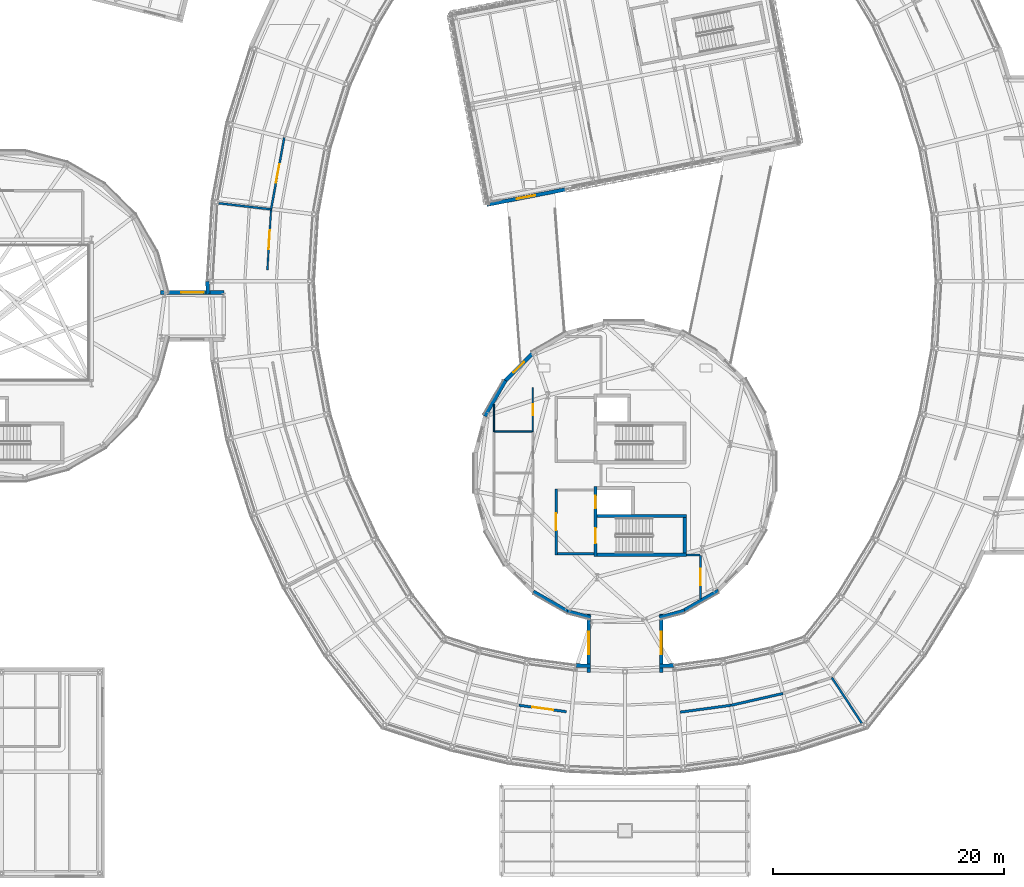
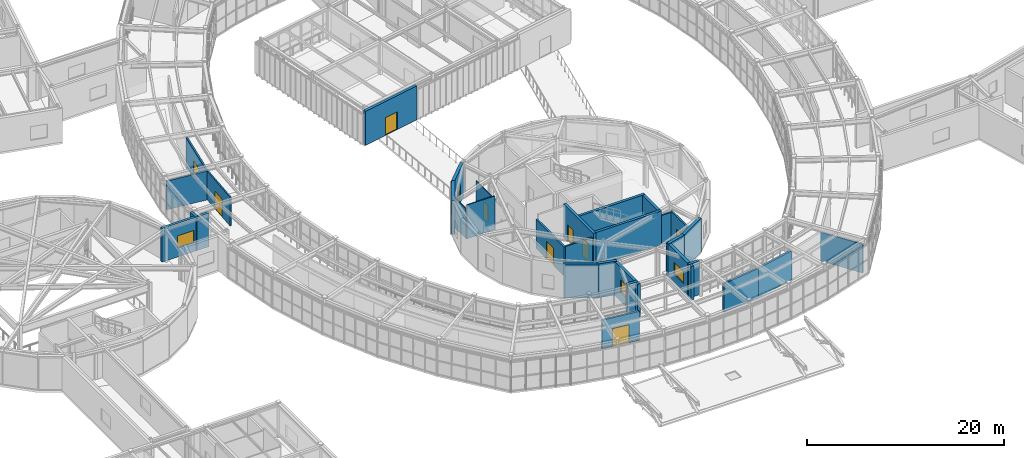
# One storey, part 76 of 103: 31 walls, 9 doors, 4 windows, 13 openings.
"""IFC4 building model written with IfcOpenShell, lengths in metres."""

from ifc_helpers import new_model, si_unit, direction, frame, frame_2d, origin, place, context, subcontext, project, spatial, rectangle, extrude, material, layer, layer_set, type_object, element, fill, save


model = new_model("IFC4")

# Units and contexts
model_context = context("Model", 3, precision=1e-05, world=origin(), true_north=direction((0.0, 1.0)))
body_context = subcontext(model_context, "Body", "Model", "MODEL_VIEW")
ifc_project = project(units=[si_unit("LENGTHUNIT", "METRE"), si_unit("AREAUNIT", "SQUARE_METRE"), si_unit("VOLUMEUNIT", "CUBIC_METRE"), si_unit("PLANEANGLEUNIT", "RADIAN"), si_unit("MASSUNIT", "GRAM", prefix="KILO")], contexts=[model_context])

# Site, building, storey
site_placement = place(None, origin())
site = spatial("IfcSite", under=ifc_project, at=site_placement, CompositionType="ELEMENT")
building_placement = place(site_placement, origin())
building = spatial("IfcBuilding", under=site, at=building_placement, Name="Varnklinge Art Gallery", CompositionType="ELEMENT")
storey_placement = place(building_placement, frame((0.0, 0.0, 5.10009765625)))
storey = spatial("IfcBuildingStorey", under=building, at=storey_placement, Name="L01", CompositionType="ELEMENT", Elevation=5.10009765625)

# Walls
ifc_material_1 = material(Name="Precast concrete C40/50", Category="concrete")
ifc_layer_1 = layer(ifc_material_1, 0.320068359375)
ifc_layer_set_1 = layer_set([ifc_layer_1], Name="Precast concrete C40/50")
wall_type_1 = type_object("IfcWallType", Name="EW-32", PredefinedType="SOLIDWALL", material=ifc_layer_set_1)
wall_1_placement = place(storey_placement, frame((39.459716796875, 53.8798828125, 0.0), z_axis=(0.0, 0.0, 1.0), x_axis=(-0.060698683883, 0.998156134968, 0.0)))
element("IfcWall", 1, at=wall_1_placement, inside=storey, type_object=wall_type_1, Name="EW-V2O-L01-K26-1", PredefinedType="SOLIDWALL", context=body_context, shape_type="SweptSolid", body=[
    extrude(rectangle(XDim=1.1220703125, YDim=0.320068359375, at=frame_2d((0.56103515625, 0.0))), origin(), (0.0, 0.0, 1.0), 4.179931640625),
])
for number, where, z_axis, x_axis, name in (
    (2, (71.261962890625, 21.79443359375, 0.0), (0.0, 0.0, 1.0), (0.998996725621, -0.044783280345, 0.0), "EW-V2I-L01-K35-1"),
    (3, (78.47998046875, 21.738037109375, 0.0), (0.0, 0.0, 1.0), (0.998996725621, 0.044783280345, 0.0), "EW-V2I-L01-K36-1"),
):
    element("IfcWall", number, at=place(storey_placement, frame(where, z_axis=z_axis, x_axis=x_axis)), inside=storey, type_object=wall_type_1, Name=name, PredefinedType="SOLIDWALL", context=body_context, shape_type="SweptSolid", body=[
        extrude(rectangle(XDim=1.25927734375, YDim=0.320068359375, at=frame_2d((0.629638671875, 0.0))), origin(), (0.0, 0.0, 1.0), 4.179931640625),
    ])

# Wall, opening, door
wall_2_placement = place(storey_placement, frame((70.32958984375, 62.937744140625, 0.0), z_axis=(0.0, 0.0, 1.0), x_axis=(-0.981625148252, -0.190819465253, 0.0)))
wall_2 = element("IfcWall", 4, at=wall_2_placement, inside=storey, type_object=wall_type_1, Name="EW-V4B-L01-BRG-1", PredefinedType="SOLIDWALL", context=body_context, shape_type="SweptSolid", body=[
    extrude(rectangle(XDim=6.89990234375, YDim=0.320068359375, at=frame_2d((3.449951171875, 0.0))), origin(), (0.0, 0.0, 1.0), 4.199951171875),
])
opening_1_placement = place(wall_2_placement, frame((2.64990234375, 0.0, 0.0)))
opening_1 = element("IfcOpeningElement", 5, at=opening_1_placement, cuts=wall_2, Name="Opening D-L01-E17", PredefinedType="OPENING", context=body_context, shape_type="SweptSolid", body=[
    extrude(rectangle(XDim=1.60009765625, YDim=2.199951171875, at=frame_2d((0.800048828125, 1.10009765625))), frame((0.0, 0.170166015625, 0.0), z_axis=(0.0, -1.0, 0.0), x_axis=(1.0, 0.0, 0.0)), (0.0, 0.0, 1.0), 0.340087890625),
])
ifc_material_2 = material(Name="Anodised Aluminium", Category="aluminium")
door_type_1 = type_object("IfcDoorType", Name="ED-03", OperationType="DOUBLE_DOOR_SINGLE_SWING", PredefinedType="DOOR", material=ifc_material_2)
door_1_placement = place(opening_1_placement, origin())
door_1 = element("IfcDoor", 6, at=door_1_placement, inside=storey, type_object=door_type_1, Name="L01 Lattice Box Court Bridge Door D-L01-E17", OperationType="DOUBLE_DOOR_SINGLE_SWING", OverallHeight=2.199951171875, OverallWidth=1.60009765625, PredefinedType="DOOR", context=body_context, shape_type="SweptSolid", body=[
    extrude(rectangle(XDim=1.60009765625, YDim=2.199951171875, at=frame_2d((0.800048828125, 1.10009765625))), frame((0.0, 0.02490234375, 0.0), z_axis=(0.0, -1.0, 0.0), x_axis=(1.0, 0.0, 0.0)), (0.0, 0.0, 1.0), 0.050048828125),
])
fill(opening_1, door_1)

# Wall, opening, window
wall_3_placement = place(storey_placement, frame((35.35009765625, 54.0400390625, 0.0), z_axis=(0.0, 0.0, 1.0), x_axis=(1.0, 0.0, 0.0)))
wall_3 = element("IfcWall", 7, at=wall_3_placement, inside=storey, type_object=wall_type_1, Name="L01 Gallery Link Wall EW-LNK-V3-L01-N", PredefinedType="SOLIDWALL", context=body_context, shape_type="SweptSolid", body=[
    extrude(rectangle(XDim=5.5, YDim=0.320068359375, at=frame_2d((2.75, 0.0))), origin(), (0.0, 0.0, 1.0), 4.169921875),
])
opening_2_placement = place(wall_3_placement, frame((1.77490234375, 0.0, 1.1201171875)))
opening_2 = element("IfcOpeningElement", 8, at=opening_2_placement, cuts=wall_3, Name="Opening WN-05", PredefinedType="OPENING", context=body_context, shape_type="SweptSolid", body=[
    extrude(rectangle(XDim=1.949951171875, YDim=1.5, at=frame_2d((0.97509765625, 0.75))), frame((0.0, 0.170166015625, 0.0), z_axis=(0.0, -1.0, 0.0), x_axis=(1.0, 0.0, 0.0)), (0.0, 0.0, 1.0), 0.340087890625),
])
ifc_material_3 = material(Name="Insulated Low-E Triple Glazing", Category="glass")
window_type_1 = type_object("IfcWindowType", Name="WN-05", PartitioningType="SINGLE_PANEL", PredefinedType="WINDOW", material=ifc_material_3)
window_1_placement = place(opening_2_placement, origin())
window_1 = element("IfcWindow", 9, at=window_1_placement, inside=storey, type_object=window_type_1, Name="L01 Window WIN-L01-217", OverallHeight=1.5, OverallWidth=1.949951171875, PartitioningType="SINGLE_PANEL", PredefinedType="WINDOW", context=body_context, shape_type="SweptSolid", body=[
    extrude(rectangle(XDim=1.949951171875, YDim=1.5, at=frame_2d((0.97509765625, 0.75))), frame((0.0, 0.030029296875, 0.0), z_axis=(0.0, -1.0, 0.0), x_axis=(1.0, 0.0, 0.0)), (0.0, 0.0, 1.0), 0.06005859375),
])
fill(opening_2, window_1)

wall_4_placement = place(storey_placement, frame((72.360107421875, 21.1845703125, 0.0), z_axis=(0.0, 0.0, 1.0), x_axis=(0.0, 1.0, 0.0)))
wall_4 = element("IfcWall", 10, at=wall_4_placement, inside=storey, type_object=wall_type_1, Name="L01 Gallery Link Wall EW-LNK-V4S-L01-W", PredefinedType="SOLIDWALL", context=body_context, shape_type="SweptSolid", body=[
    extrude(rectangle(XDim=5.071044921875, YDim=0.320068359375, at=frame_2d((2.53564453125, 0.0))), origin(), (0.0, 0.0, 1.0), 4.179931640625),
])
opening_3_placement = place(wall_4_placement, frame((1.560546875, 0.0, 1.1201171875)))
opening_3 = element("IfcOpeningElement", 11, at=opening_3_placement, cuts=wall_4, Name="Opening WN-05", PredefinedType="OPENING", context=body_context, shape_type="SweptSolid", body=[
    extrude(rectangle(XDim=1.949951171875, YDim=1.5, at=frame_2d((0.97509765625, 0.75))), frame((0.0, 0.170166015625, 0.0), z_axis=(0.0, -1.0, 0.0), x_axis=(1.0, 0.0, 0.0)), (0.0, 0.0, 1.0), 0.340087890625),
])
window_2_placement = place(opening_3_placement, origin())
window_2 = element("IfcWindow", 12, at=window_2_placement, inside=storey, type_object=window_type_1, Name="L01 Window WIN-L01-220", OverallHeight=1.5, OverallWidth=1.949951171875, PartitioningType="SINGLE_PANEL", PredefinedType="WINDOW", context=body_context, shape_type="SweptSolid", body=[
    extrude(rectangle(XDim=1.949951171875, YDim=1.5, at=frame_2d((0.97509765625, 0.75))), frame((0.0, 0.030029296875, 0.0), z_axis=(0.0, -1.0, 0.0), x_axis=(1.0, 0.0, 0.0)), (0.0, 0.0, 1.0), 0.06005859375),
])
fill(opening_3, window_2)

wall_5_placement = place(storey_placement, frame((78.639892578125, 26.255615234375, 0.0), z_axis=(0.0, 0.0, 1.0), x_axis=(0.0, -1.0, 0.0)))
wall_5 = element("IfcWall", 13, at=wall_5_placement, inside=storey, type_object=wall_type_1, Name="L01 Gallery Link Wall EW-LNK-V4S-L01-E", PredefinedType="SOLIDWALL", context=body_context, shape_type="SweptSolid", body=[
    extrude(rectangle(XDim=5.071044921875, YDim=0.320068359375, at=frame_2d((2.53564453125, 0.0))), origin(), (0.0, 0.0, 1.0), 4.179931640625),
])
opening_4_placement = place(wall_5_placement, frame((1.560546875, 0.0, 1.1201171875)))
opening_4 = element("IfcOpeningElement", 14, at=opening_4_placement, cuts=wall_5, Name="Opening WN-05", PredefinedType="OPENING", context=body_context, shape_type="SweptSolid", body=[
    extrude(rectangle(XDim=1.949951171875, YDim=1.5, at=frame_2d((0.97509765625, 0.75))), frame((0.0, 0.170166015625, 0.0), z_axis=(0.0, -1.0, 0.0), x_axis=(1.0, 0.0, 0.0)), (0.0, 0.0, 1.0), 0.340087890625),
])
window_3_placement = place(opening_4_placement, origin())
window_3 = element("IfcWindow", 15, at=window_3_placement, inside=storey, type_object=window_type_1, Name="L01 Window WIN-L01-221", OverallHeight=1.5, OverallWidth=1.949951171875, PartitioningType="SINGLE_PANEL", PredefinedType="WINDOW", context=body_context, shape_type="SweptSolid", body=[
    extrude(rectangle(XDim=1.949951171875, YDim=1.5, at=frame_2d((0.97509765625, 0.75))), frame((0.0, 0.030029296875, 0.0), z_axis=(0.0, -1.0, 0.0), x_axis=(1.0, 0.0, 0.0)), (0.0, 0.0, 1.0), 0.06005859375),
])
fill(opening_4, window_3)

# Walls
ifc_material_4 = material(Name="Precast concrete C40/50", Category="concrete")
ifc_layer_2 = layer(ifc_material_4, 0.340087890625)
ifc_layer_set_2 = layer_set([ifc_layer_2], Name="Precast concrete C40/50")
wall_type_2 = type_object("IfcWallType", Name="EW-34", PredefinedType="SOLIDWALL", material=ifc_layer_set_2)
wall_6_placement = place(storey_placement, frame((83.57861328125, 28.248779296875, 0.0), z_axis=(0.0, 0.0, 1.0), x_axis=(-0.866021650523, -0.500006500783, 0.0)))
element("IfcWall", 16, at=wall_6_placement, inside=storey, type_object=wall_type_2, Name="L01 Exterior Wall EW-V4D-L01-05", PredefinedType="SOLIDWALL", context=body_context, shape_type="SweptSolid", body=[
    extrude(rectangle(XDim=3.5712890625, YDim=0.340087890625, at=frame_2d((1.78564453125, 0.0))), origin(), (0.0, 0.0, 1.0), 4.199951171875),
])
wall_7_placement = place(storey_placement, frame((80.64990234375, 26.507080078125, 0.0), z_axis=(0.0, 0.0, 1.0), x_axis=(-0.965940290582, -0.258765057592, 0.0)))
element("IfcWall", 17, at=wall_7_placement, inside=storey, type_object=wall_type_2, Name="L01 Exterior Wall EW-V4D-L01-06", PredefinedType="SOLIDWALL", context=body_context, shape_type="SweptSolid", body=[
    extrude(rectangle(XDim=2.246337890625, YDim=0.340087890625, at=frame_2d((1.123046875, 0.0))), origin(), (0.0, 0.0, 1.0), 4.199951171875),
])
wall_8_placement = place(storey_placement, frame((72.52001953125, 25.92578125, 0.0), z_axis=(0.0, 0.0, 1.0), x_axis=(-0.965939655771, 0.258767427258, 0.0)))
element("IfcWall", 18, at=wall_8_placement, inside=storey, type_object=wall_type_2, Name="L01 Exterior Wall EW-V4D-L01-07", PredefinedType="SOLIDWALL", context=body_context, shape_type="SweptSolid", body=[
    extrude(rectangle(XDim=2.07666015625, YDim=0.340087890625, at=frame_2d((1.038330078125, 0.0))), origin(), (0.0, 0.0, 1.0), 4.199951171875),
])
for number, where, z_axis, x_axis, name in (
    (19, (70.661376953125, 26.378173828125, 0.0), (0.0, 0.0, 1.0), (-0.866021650523, 0.500006500783, 0.0), "L01 Exterior Wall EW-V4D-L01-08"),
    (20, (63.378173828125, 43.338623046875, 0.0), (0.0, 0.0, 1.0), (0.500006500783, 0.866021650523, 0.0), "L01 Exterior Wall EW-V4D-L01-14"),
):
    element("IfcWall", number, at=place(storey_placement, frame(where, z_axis=z_axis, x_axis=x_axis)), inside=storey, type_object=wall_type_2, Name=name, PredefinedType="SOLIDWALL", context=body_context, shape_type="SweptSolid", body=[
        extrude(rectangle(XDim=3.5712890625, YDim=0.340087890625, at=frame_2d((1.78564453125, 0.0))), origin(), (0.0, 0.0, 1.0), 4.199951171875),
    ])

# Wall, opening, window
wall_9_placement = place(storey_placement, frame((65.04345703125, 46.31103515625, 0.0), z_axis=(0.0, 0.0, 1.0), x_axis=(0.707106781187, 0.707106781187, 0.0)))
wall_9 = element("IfcWall", 21, at=wall_9_placement, inside=storey, type_object=wall_type_2, Name="L01 Exterior Wall EW-V4D-L01-15", PredefinedType="SOLIDWALL", context=body_context, shape_type="SweptSolid", body=[
    extrude(rectangle(XDim=3.571044921875, YDim=0.340087890625, at=frame_2d((1.78564453125, 0.0))), origin(), (0.0, 0.0, 1.0), 4.199951171875),
])
opening_5_placement = place(wall_9_placement, frame((1.16064453125, 0.0, 0.85009765625)))
opening_5 = element("IfcOpeningElement", 22, at=opening_5_placement, cuts=wall_9, Name="Opening WN-09", PredefinedType="OPENING", context=body_context, shape_type="SweptSolid", body=[
    extrude(rectangle(XDim=1.25, YDim=1.699951171875, at=frame_2d((0.625, 0.85009765625))), frame((0.0, 0.179931640625, 0.0), z_axis=(0.0, -1.0, 0.0), x_axis=(1.0, 0.0, 0.0)), (0.0, 0.0, 1.0), 0.360107421875),
])
ifc_material_5 = material(Name="Insulated Low-E Triple Glazing", Category="glass")
window_type_2 = type_object("IfcWindowType", Name="WN-09", PartitioningType="SINGLE_PANEL", PredefinedType="WINDOW", material=ifc_material_5)
window_4_placement = place(opening_5_placement, origin())
window_4 = element("IfcWindow", 23, at=window_4_placement, inside=storey, type_object=window_type_2, Name="L01 Window WIN-L01-081", OverallHeight=1.699951171875, OverallWidth=1.25, PartitioningType="SINGLE_PANEL", PredefinedType="WINDOW", context=body_context, shape_type="SweptSolid", body=[
    extrude(rectangle(XDim=1.25, YDim=1.699951171875, at=frame_2d((0.625, 0.85009765625))), frame((0.0, 0.030029296875, 0.0), z_axis=(0.0, -1.0, 0.0), x_axis=(1.0, 0.0, 0.0)), (0.0, 0.0, 1.0), 0.06005859375),
])
fill(opening_5, window_4)

# Wall, opening, door
ifc_material_6 = material(Name="Gypsum Board Partition", Category="gypsum")
ifc_layer_3 = layer(ifc_material_6, 0.10009765625)
ifc_layer_set_3 = layer_set([ifc_layer_3], Name="Gypsum Board Partition")
wall_type_3 = type_object("IfcWallType", Name="IW-10", PredefinedType="PARTITIONING", material=ifc_layer_set_3)
wall_10_placement = place(storey_placement, frame((67.530029296875, 45.800048828125, 0.0), z_axis=(0.0, 0.0, 1.0), x_axis=(0.0, -1.0, 0.0)))
wall_10 = element("IfcWall", 24, at=wall_10_placement, inside=storey, type_object=wall_type_3, Name="L01 Partition Wall IW-L01-0209", PredefinedType="PARTITIONING", context=body_context, shape_type="SweptSolid", body=[
    extrude(rectangle(XDim=3.800048828125, YDim=0.10009765625, at=frame_2d((1.89990234375, 0.0))), origin(), (0.0, 0.0, 1.0), 3.739990234375),
])
opening_6_placement = place(wall_10_placement, frame((1.43994140625, 0.0, 0.0)))
opening_6 = element("IfcOpeningElement", 25, at=opening_6_placement, cuts=wall_10, Name="Opening D-L01-200", PredefinedType="OPENING", context=body_context, shape_type="SweptSolid", body=[
    extrude(rectangle(XDim=0.919921875, YDim=2.080078125, at=frame_2d((0.4599609375, 1.0400390625))), frame((0.0, 0.06005859375, 0.0), z_axis=(0.0, -1.0, 0.0), x_axis=(1.0, 0.0, 0.0)), (0.0, 0.0, 1.0), 0.1201171875),
])
ifc_material_7 = material(Name="Oak Timber Leaf", Category="wood")
door_type_2 = type_object("IfcDoorType", Name="ID-01", OperationType="SINGLE_SWING_LEFT", PredefinedType="DOOR", material=ifc_material_7)
door_2_placement = place(opening_6_placement, origin())
door_2 = element("IfcDoor", 26, at=door_2_placement, inside=storey, type_object=door_type_2, Name="L01 L01 Curatorial Conservation Closet Door D-L01-200", OperationType="SINGLE_SWING_RIGHT", OverallHeight=2.080078125, OverallWidth=0.919921875, PredefinedType="DOOR", context=body_context, shape_type="SweptSolid", body=[
    extrude(rectangle(XDim=0.919921875, YDim=2.080078125, at=frame_2d((0.4599609375, 1.0400390625))), frame((0.0, 0.02490234375, 0.0), z_axis=(0.0, -1.0, 0.0), x_axis=(1.0, 0.0, 0.0)), (0.0, 0.0, 1.0), 0.050048828125),
])
fill(opening_6, door_2)

# Walls
wall_11_placement = place(storey_placement, frame((64.169921875, 42.0, 0.0), z_axis=(0.0, 0.0, 1.0), x_axis=(0.0, 1.0, 0.0)))
element("IfcWall", 27, at=wall_11_placement, inside=storey, type_object=wall_type_3, Name="L01 Partition Wall IW-L01-0252", PredefinedType="PARTITIONING", context=body_context, shape_type="SweptSolid", body=[
    extrude(rectangle(XDim=2.362060546875, YDim=0.10009765625, at=frame_2d((1.18115234375, 0.0))), origin(), (0.0, 0.0, 1.0), 3.739990234375),
])
ifc_material_8 = material(Name="Gypsum Board Partition", Category="gypsum")
ifc_layer_4 = layer(ifc_material_8, 0.1201171875)
ifc_layer_set_4 = layer_set([ifc_layer_4], Name="Gypsum Board Partition")
wall_type_4 = type_object("IfcWallType", Name="IW-12", PredefinedType="PARTITIONING", material=ifc_layer_set_4)
wall_12_placement = place(storey_placement, frame((64.199951171875, 42.030029296875, 0.0), z_axis=(0.0, 0.0, 1.0), x_axis=(1.0, 0.0, 0.0)))
element("IfcWall", 28, at=wall_12_placement, inside=storey, type_object=wall_type_4, Name="L01 Partition Wall IW-L01-0250", PredefinedType="PARTITIONING", context=body_context, shape_type="SweptSolid", body=[
    extrude(rectangle(XDim=3.26513671875, YDim=0.1201171875, at=frame_2d((1.632568359375, 0.0))), origin(), (0.0, 0.0, 1.0), 4.18994140625),
])

# Wall, opening, door
ifc_material_9 = material(Name="Gypsum Board Partition", Category="gypsum")
ifc_layer_5 = layer(ifc_material_9, 0.14990234375)
ifc_layer_set_5 = layer_set([ifc_layer_5], Name="Gypsum Board Partition")
wall_type_5 = type_object("IfcWallType", Name="IW-15", PredefinedType="PARTITIONING", material=ifc_layer_set_5)
wall_13_placement = place(storey_placement, frame((44.58203125, 55.969970703125, 0.0), z_axis=(0.0, 0.0, 1.0), x_axis=(0.060821422168, 0.998148663579, 0.0)))
wall_13 = element("IfcWall", 29, at=wall_13_placement, inside=storey, type_object=wall_type_5, Name="L01 Partition Wall IW-L01-0194", PredefinedType="PARTITIONING", context=body_context, shape_type="SweptSolid", body=[
    extrude(rectangle(XDim=5.262451171875, YDim=0.14990234375, at=frame_2d((2.63134765625, 0.0))), origin(), (0.0, 0.0, 1.0), 3.56982421875),
])
opening_7_placement = place(wall_13_placement, frame((1.811279296875, 0.0, 0.0)))
opening_7 = element("IfcOpeningElement", 30, at=opening_7_placement, cuts=wall_13, Name="Opening D-L01-193", PredefinedType="OPENING", context=body_context, shape_type="SweptSolid", body=[
    extrude(rectangle(XDim=1.639892578125, YDim=2.199951171875, at=frame_2d((0.81982421875, 1.10009765625))), frame((0.0, 0.0849609375, 0.0), z_axis=(0.0, -1.0, 0.0), x_axis=(1.0, 0.0, 0.0)), (0.0, 0.0, 1.0), 0.169921875),
])
ifc_material_10 = material(Name="Oak Timber Leaf", Category="wood")
door_type_3 = type_object("IfcDoorType", Name="ID-08", OperationType="DOUBLE_DOOR_SINGLE_SWING", PredefinedType="DOOR", material=ifc_material_10)
door_3_placement = place(opening_7_placement, origin())
door_3 = element("IfcDoor", 31, at=door_3_placement, inside=storey, type_object=door_type_3, Name="L01 L01 Upper Southwest Reading Lounge 2 Door D-L01-193", OperationType="DOUBLE_DOOR_SINGLE_SWING", OverallHeight=2.199951171875, OverallWidth=1.639892578125, PredefinedType="DOOR", context=body_context, shape_type="SweptSolid", body=[
    extrude(rectangle(XDim=1.639892578125, YDim=2.199951171875, at=frame_2d((0.81982421875, 1.10009765625))), frame((0.0, 0.02490234375, 0.0), z_axis=(0.0, -1.0, 0.0), x_axis=(1.0, 0.0, 0.0)), (0.0, 0.0, 1.0), 0.050048828125),
])
fill(opening_7, door_3)

ifc_material_11 = material(Name="Gypsum Board Partition", Category="gypsum")
ifc_layer_6 = layer(ifc_material_11, 0.179931640625)
ifc_layer_set_6 = layer_set([ifc_layer_6], Name="Gypsum Board Partition")
wall_type_6 = type_object("IfcWallType", Name="IW-18", PredefinedType="PARTITIONING", material=ifc_layer_set_6)
wall_14_placement = place(storey_placement, frame((44.902099609375, 61.22265625, 0.0), z_axis=(0.0, 0.0, 1.0), x_axis=(0.181126899018, 0.98345973301, 0.0)))
wall_14 = element("IfcWall", 32, at=wall_14_placement, inside=storey, type_object=wall_type_6, Name="L01 Partition Wall IW-L01-0187", PredefinedType="PARTITIONING", context=body_context, shape_type="SweptSolid", body=[
    extrude(rectangle(XDim=6.296142578125, YDim=0.179931640625, at=frame_2d((3.14794921875, 0.0))), origin(), (0.0, 0.0, 1.0), 3.56982421875),
])
opening_8_placement = place(wall_14_placement, frame((2.327880859375, 0.0, 0.0)))
opening_8 = element("IfcOpeningElement", 33, at=opening_8_placement, cuts=wall_14, Name="Opening D-L01-190", PredefinedType="OPENING", context=body_context, shape_type="SweptSolid", body=[
    extrude(rectangle(XDim=1.639892578125, YDim=2.199951171875, at=frame_2d((0.81982421875, 1.10009765625))), frame((0.0, 0.099853515625, 0.0), z_axis=(0.0, -1.0, 0.0), x_axis=(1.0, 0.0, 0.0)), (0.0, 0.0, 1.0), 0.199951171875),
])
door_4_placement = place(opening_8_placement, origin())
door_4 = element("IfcDoor", 34, at=door_4_placement, inside=storey, type_object=door_type_3, Name="L01 L01 Upper West Curved Exhibition Gallery Door D-L01-190", OperationType="DOUBLE_DOOR_SINGLE_SWING", OverallHeight=2.199951171875, OverallWidth=1.639892578125, PredefinedType="DOOR", context=body_context, shape_type="SweptSolid", body=[
    extrude(rectangle(XDim=1.639892578125, YDim=2.199951171875, at=frame_2d((0.81982421875, 1.10009765625))), frame((0.0, 0.02490234375, 0.0), z_axis=(0.0, -1.0, 0.0), x_axis=(1.0, 0.0, 0.0)), (0.0, 0.0, 1.0), 0.050048828125),
])
fill(opening_8, door_4)

# Wall
wall_15_placement = place(storey_placement, frame((80.800048828125, 31.330078125, 0.0), z_axis=(0.0, 0.0, 1.0), x_axis=(1.0, 0.0, 0.0)))
element("IfcWall", 35, at=wall_15_placement, inside=storey, type_object=wall_type_6, Name="L01 Partition Wall IW-L01-0210", PredefinedType="PARTITIONING", context=body_context, shape_type="SweptSolid", body=[
    extrude(rectangle(XDim=1.199951171875, YDim=0.179931640625, at=frame_2d((0.60009765625, 0.0))), origin(), (0.0, 0.0, 1.0), 3.58984375),
])

# Wall, opening, door
wall_16_placement = place(storey_placement, frame((82.02880859375, 31.30859375, 0.0), z_axis=(0.0, 0.0, 1.0), x_axis=(0.000325266702, -0.999999947101, 0.0)))
wall_16 = element("IfcWall", 36, at=wall_16_placement, inside=storey, type_object=wall_type_6, Name="L01 Partition Wall IW-L01-0211", PredefinedType="PARTITIONING", context=body_context, shape_type="SweptSolid", body=[
    extrude(rectangle(XDim=3.7529296875, YDim=0.179931640625, at=frame_2d((1.87646484375, 0.0))), origin(), (0.0, 0.0, 1.0), 3.739990234375),
])
opening_9_placement = place(wall_16_placement, frame((1.16650390625, 0.0, 0.0)))
opening_9 = element("IfcOpeningElement", 37, at=opening_9_placement, cuts=wall_16, Name="Opening D-L01-201", PredefinedType="OPENING", context=body_context, shape_type="SweptSolid", body=[
    extrude(rectangle(XDim=1.419921875, YDim=2.179931640625, at=frame_2d((0.7099609375, 1.08984375))), frame((0.0, 0.099853515625, 0.0), z_axis=(0.0, -1.0, 0.0), x_axis=(1.0, 0.0, 0.0)), (0.0, 0.0, 1.0), 0.199951171875),
])
ifc_material_12 = material(Name="Oak Timber Leaf", Category="wood")
door_type_4 = type_object("IfcDoorType", Name="ID-07", OperationType="DOUBLE_DOOR_SINGLE_SWING", PredefinedType="DOOR", material=ifc_material_12)
door_5_placement = place(opening_9_placement, origin())
door_5 = element("IfcDoor", 38, at=door_5_placement, inside=storey, type_object=door_type_4, Name="L01 L01 Drum Kinetic Art Pavilion Gallery Door D-L01-201", OperationType="DOUBLE_DOOR_SINGLE_SWING", OverallHeight=2.179931640625, OverallWidth=1.419921875, PredefinedType="DOOR", context=body_context, shape_type="SweptSolid", body=[
    extrude(rectangle(XDim=1.419921875, YDim=2.179931640625, at=frame_2d((0.7099609375, 1.08984375))), frame((0.0, 0.02490234375, 0.0), z_axis=(0.0, -1.0, 0.0), x_axis=(1.0, 0.0, 0.0)), (0.0, 0.0, 1.0), 0.050048828125),
])
fill(opening_9, door_5)

# Walls
wall_17_placement = place(storey_placement, frame((96.0361328125, 16.68994140625, 0.0), z_axis=(0.0, 0.0, 1.0), x_axis=(-0.547563449624, 0.836764165483, 0.0)))
element("IfcWall", 39, at=wall_17_placement, inside=storey, type_object=wall_type_6, Name="L01 Partition Wall IW-L01-0240", PredefinedType="PARTITIONING", context=body_context, shape_type="SweptSolid", body=[
    extrude(rectangle(XDim=4.837158203125, YDim=0.179931640625, at=frame_2d((2.41845703125, 0.0))), origin(), (0.0, 0.0, 1.0), 3.56982421875),
])
wall_18_placement = place(storey_placement, frame((44.900634765625, 61.222900390625, 0.0), z_axis=(0.0, 0.0, 1.0), x_axis=(-0.993352407823, 0.11511296136, 0.0)))
element("IfcWall", 40, at=wall_18_placement, inside=storey, type_object=wall_type_6, Name="L01 Partition Wall IW-L01-0245", PredefinedType="PARTITIONING", context=body_context, shape_type="SweptSolid", body=[
    extrude(rectangle(XDim=4.54931640625, YDim=0.179931640625, at=frame_2d((2.274658203125, 0.0))), origin(), (0.0, 0.0, 1.0), 3.56982421875),
])
ifc_material_13 = material(Name="Concrete C40/50", Category="concrete")
ifc_layer_7 = layer(ifc_material_13, 0.199951171875)
ifc_layer_set_7 = layer_set([ifc_layer_7], Name="Concrete C40/50")
wall_type_7 = type_object("IfcWallType", Name="IW-20", PredefinedType="PARTITIONING", material=ifc_layer_set_7)
wall_19_placement = place(storey_placement, frame((69.64990234375, 31.449951171875, 0.0), z_axis=(0.0, 0.0, 1.0), x_axis=(1.0, 0.0, 0.0)))
element("IfcWall", 41, at=wall_19_placement, inside=storey, type_object=wall_type_7, Name="L01 Core C1 Lobby South Wall", PredefinedType="PARTITIONING", context=body_context, shape_type="SweptSolid", body=[
    extrude(rectangle(XDim=3.150146484375, YDim=0.199951171875, at=frame_2d((1.5751953125, 0.0))), origin(), (0.0, 0.0, 1.0), 3.58984375),
])

# Wall, opening, door
wall_20_placement = place(storey_placement, frame((69.550048828125, 31.35009765625, 0.0), z_axis=(0.0, 0.0, 1.0), x_axis=(0.0, 1.0, 0.0)))
wall_20 = element("IfcWall", 42, at=wall_20_placement, inside=storey, type_object=wall_type_7, Name="L01 Core C1 Lobby Corridor Wall", PredefinedType="PARTITIONING", context=body_context, shape_type="SweptSolid", body=[
    extrude(rectangle(XDim=5.7099609375, YDim=0.199951171875, at=frame_2d((2.85498046875, 0.0))), origin(), (0.0, 0.0, 1.0), 3.58984375),
])
opening_10_placement = place(wall_20_placement, frame((2.114990234375, 0.0, 0.0)))
opening_10 = element("IfcOpeningElement", 43, at=opening_10_placement, cuts=wall_20, Name="Opening D-L01-009", PredefinedType="OPENING", context=body_context, shape_type="SweptSolid", body=[
    extrude(rectangle(XDim=1.47998046875, YDim=2.14990234375, at=frame_2d((0.739990234375, 1.074951171875))), frame((0.0, 0.110107421875, 0.0), z_axis=(0.0, -1.0, 0.0), x_axis=(1.0, 0.0, 0.0)), (0.0, 0.0, 1.0), 0.219970703125),
])
ifc_material_14 = material(Name="Galvanised Fire-Rated Steel", Category="steel")
door_type_5 = type_object("IfcDoorType", Name="ID-LB1", OperationType="DOUBLE_DOOR_SINGLE_SWING", PredefinedType="DOOR", material=ifc_material_14)
door_6_placement = place(opening_10_placement, origin())
door_6 = element("IfcDoor", 44, at=door_6_placement, inside=storey, type_object=door_type_5, Name="L01 Core C1 Protected Lobby Door D-L01-009", OperationType="DOUBLE_DOOR_SINGLE_SWING", OverallHeight=2.14990234375, OverallWidth=1.47998046875, PredefinedType="DOOR", context=body_context, shape_type="SweptSolid", body=[
    extrude(rectangle(XDim=1.47998046875, YDim=2.14990234375, at=frame_2d((0.739990234375, 1.074951171875))), frame((0.0, 0.02490234375, 0.0), z_axis=(0.0, -1.0, 0.0), x_axis=(1.0, 0.0, 0.0)), (0.0, 0.0, 1.0), 0.050048828125),
])
fill(opening_10, door_6)

ifc_material_15 = material(Name="Concrete C40/50", Category="concrete")
ifc_layer_8 = layer(ifc_material_15, 0.219970703125)
ifc_layer_set_8 = layer_set([ifc_layer_8], Name="Concrete C40/50")
wall_type_8 = type_object("IfcWallType", Name="IW-22", PredefinedType="PARTITIONING", material=ifc_layer_set_8)
wall_21_placement = place(storey_placement, frame((70.429931640625, 17.791748046875, 0.0), z_axis=(0.0, 0.0, 1.0), x_axis=(-0.990990314018, 0.133933556372, 0.0)))
wall_21 = element("IfcWall", 45, at=wall_21_placement, inside=storey, type_object=wall_type_8, Name="L01 Partition Wall IW-L01-0195", PredefinedType="PARTITIONING", context=body_context, shape_type="SweptSolid", body=[
    extrude(rectangle(XDim=4.137939453125, YDim=0.219970703125, at=frame_2d((2.06884765625, 0.0))), origin(), (0.0, 0.0, 1.0), 3.56982421875),
])
opening_11_placement = place(wall_21_placement, frame((1.14892578125, 0.0, 0.0)))
opening_11 = element("IfcOpeningElement", 46, at=opening_11_placement, cuts=wall_21, Name="Opening D-L01-194", PredefinedType="OPENING", context=body_context, shape_type="SweptSolid", body=[
    extrude(rectangle(XDim=1.840087890625, YDim=2.219970703125, at=frame_2d((0.919921875, 1.10986328125))), frame((0.0, 0.119873046875, 0.0), z_axis=(0.0, -1.0, 0.0), x_axis=(1.0, 0.0, 0.0)), (0.0, 0.0, 1.0), 0.239990234375),
])
ifc_material_16 = material(Name="Anodised Aluminium", Category="aluminium")
door_type_6 = type_object("IfcDoorType", Name="ID-09", OperationType="DOUBLE_DOOR_SINGLE_SWING", PredefinedType="DOOR", material=ifc_material_16)
door_7_placement = place(opening_11_placement, origin())
door_7 = element("IfcDoor", 47, at=door_7_placement, inside=storey, type_object=door_type_6, Name="L01 L01 Upper South Overlook Salon Door D-L01-194", OperationType="DOUBLE_DOOR_SINGLE_SWING", OverallHeight=2.219970703125, OverallWidth=1.840087890625, PredefinedType="DOOR", context=body_context, shape_type="SweptSolid", body=[
    extrude(rectangle(XDim=1.840087890625, YDim=2.219970703125, at=frame_2d((0.919921875, 1.10986328125))), frame((0.0, 0.02490234375, 0.0), z_axis=(0.0, -1.0, 0.0), x_axis=(1.0, 0.0, 0.0)), (0.0, 0.0, 1.0), 0.050048828125),
])
fill(opening_11, door_7)

# Walls
wall_22_placement = place(storey_placement, frame((89.16064453125, 19.3681640625, 0.0), z_axis=(0.0, 0.0, 1.0), x_axis=(-0.975049979992, -0.221985442131, 0.0)))
element("IfcWall", 48, at=wall_22_placement, inside=storey, type_object=wall_type_8, Name="L01 Partition Wall IW-L01-0201", PredefinedType="PARTITIONING", context=body_context, shape_type="SweptSolid", body=[
    extrude(rectangle(XDim=4.60498046875, YDim=0.219970703125, at=frame_2d((2.302490234375, 0.0))), origin(), (0.0, 0.0, 1.0), 3.56982421875),
])
wall_23_placement = place(storey_placement, frame((84.670654296875, 18.345947265625, 0.0), z_axis=(0.0, 0.0, 1.0), x_axis=(-0.990991049974, -0.133928110831, 0.0)))
element("IfcWall", 49, at=wall_23_placement, inside=storey, type_object=wall_type_8, Name="L01 Partition Wall IW-L01-0202", PredefinedType="PARTITIONING", context=body_context, shape_type="SweptSolid", body=[
    extrude(rectangle(XDim=4.440673828125, YDim=0.219970703125, at=frame_2d((2.22021484375, 0.0))), origin(), (0.0, 0.0, 1.0), 3.56982421875),
])
ifc_material_17 = material(Name="Concrete C40/50", Category="concrete")
ifc_layer_9 = layer(ifc_material_17, 0.300048828125)
ifc_layer_set_9 = layer_set([ifc_layer_9], Name="Concrete C40/50")
wall_type_9 = type_object("IfcWallType", Name="SW-30", PredefinedType="SHEAR", material=ifc_layer_set_9)
wall_24_placement = place(storey_placement, frame((73.10009765625, 31.35009765625, 0.0), z_axis=(0.0, 0.0, 1.0), x_axis=(1.0, 0.0, 0.0)))
element("IfcWall", 50, at=wall_24_placement, inside=storey, type_object=wall_type_9, Name="L01 Core C1 South Shear Wall", PredefinedType="SHEAR", context=body_context, shape_type="SweptSolid", body=[
    extrude(rectangle(XDim=7.699951171875, YDim=0.300048828125, at=frame_2d((3.85009765625, 0.0))), origin(), (0.0, 0.0, 1.0), 4.199951171875),
])
wall_25_placement = place(storey_placement, frame((80.64990234375, 31.5, 0.0), z_axis=(0.0, 0.0, 1.0), x_axis=(0.0, 1.0, 0.0)))
element("IfcWall", 51, at=wall_25_placement, inside=storey, type_object=wall_type_9, Name="L01 Core C1 East Shear Wall", PredefinedType="SHEAR", context=body_context, shape_type="SweptSolid", body=[
    extrude(rectangle(XDim=3.06005859375, YDim=0.300048828125, at=frame_2d((1.530029296875, 0.0))), origin(), (0.0, 0.0, 1.0), 4.199951171875),
])
wall_26_placement = place(storey_placement, frame((80.800048828125, 34.7099609375, 0.0), z_axis=(0.0, 0.0, 1.0), x_axis=(-1.0, 0.0, 0.0)))
element("IfcWall", 52, at=wall_26_placement, inside=storey, type_object=wall_type_9, Name="L01 Core C1 Dividing Shear Wall", PredefinedType="SHEAR", context=body_context, shape_type="SweptSolid", body=[
    extrude(rectangle(XDim=7.699951171875, YDim=0.300048828125, at=frame_2d((3.85009765625, 0.0))), origin(), (0.0, 0.0, 1.0), 4.199951171875),
])

# Wall, openings, doors
wall_27_placement = place(storey_placement, frame((72.949951171875, 37.260009765625, 0.0), z_axis=(0.0, 0.0, 1.0), x_axis=(0.0, -1.0, 0.0)))
wall_27 = element("IfcWall", 53, at=wall_27_placement, inside=storey, type_object=wall_type_9, Name="L01 Core C1 Front Shear Wall", PredefinedType="SHEAR", context=body_context, shape_type="SweptSolid", body=[
    extrude(rectangle(XDim=6.06005859375, YDim=0.300048828125, at=frame_2d((3.030029296875, 0.0))), origin(), (0.0, 0.0, 1.0), 4.199951171875),
])
opening_12_placement = place(wall_27_placement, frame((0.800048828125, 0.0, 0.0)))
opening_12 = element("IfcOpeningElement", 54, at=opening_12_placement, cuts=wall_27, Name="Opening LD-L01-007", PredefinedType="OPENING", context=body_context, shape_type="SweptSolid", body=[
    extrude(rectangle(XDim=1.10009765625, YDim=2.1201171875, at=frame_2d((0.550048828125, 1.06005859375))), frame((0.0, 0.159912109375, 0.0), z_axis=(0.0, -1.0, 0.0), x_axis=(1.0, 0.0, 0.0)), (0.0, 0.0, 1.0), 0.320068359375),
])
opening_13_placement = place(wall_27_placement, frame((3.60009765625, 0.0, 0.0)))
opening_13 = element("IfcOpeningElement", 55, at=opening_13_placement, cuts=wall_27, Name="Opening D-L01-008", PredefinedType="OPENING", context=body_context, shape_type="SweptSolid", body=[
    extrude(rectangle(XDim=1.320068359375, YDim=2.1201171875, at=frame_2d((0.66015625, 1.06005859375))), frame((0.0, 0.159912109375, 0.0), z_axis=(0.0, -1.0, 0.0), x_axis=(1.0, 0.0, 0.0)), (0.0, 0.0, 1.0), 0.320068359375),
])
ifc_material_18 = material(Name="Galvanised Fire-Rated Steel", Category="steel")
door_type_7 = type_object("IfcDoorType", Name="ID-ST1", OperationType="SINGLE_SWING_LEFT", PredefinedType="DOOR", material=ifc_material_18)
door_8_placement = place(opening_13_placement, origin())
door_8 = element("IfcDoor", 56, at=door_8_placement, inside=storey, type_object=door_type_7, Name="L01 Stair ST-01 Fire Door D-L01-008", OperationType="SINGLE_SWING_LEFT", OverallHeight=2.1201171875, OverallWidth=1.320068359375, PredefinedType="DOOR", context=body_context, shape_type="SweptSolid", body=[
    extrude(rectangle(XDim=1.320068359375, YDim=2.1201171875, at=frame_2d((0.66015625, 1.06005859375))), frame((0.0, 0.02490234375, 0.0), z_axis=(0.0, -1.0, 0.0), x_axis=(1.0, 0.0, 0.0)), (0.0, 0.0, 1.0), 0.050048828125),
])
fill(opening_13, door_8)
ifc_material_19 = material(Name="Anodised Aluminium", Category="aluminium")
door_type_8 = type_object("IfcDoorType", Name="LD-PAX", OperationType="SLIDING_TO_LEFT", PredefinedType="DOOR", material=ifc_material_19)
door_9_placement = place(opening_12_placement, origin())
door_9 = element("IfcDoor", 57, at=door_9_placement, inside=storey, type_object=door_type_8, Name="L01 LF-01 Sliding Landing Door LD-L01-007", OperationType="SLIDING_TO_LEFT", OverallHeight=2.1201171875, OverallWidth=1.10009765625, PredefinedType="DOOR", context=body_context, shape_type="SweptSolid", body=[
    extrude(rectangle(XDim=1.10009765625, YDim=2.1201171875, at=frame_2d((0.550048828125, 1.06005859375))), frame((0.0, 0.02490234375, 0.0), z_axis=(0.0, -1.0, 0.0), x_axis=(1.0, 0.0, 0.0)), (0.0, 0.0, 1.0), 0.050048828125),
])
fill(opening_12, door_9)

save(model, "model.ifc")
